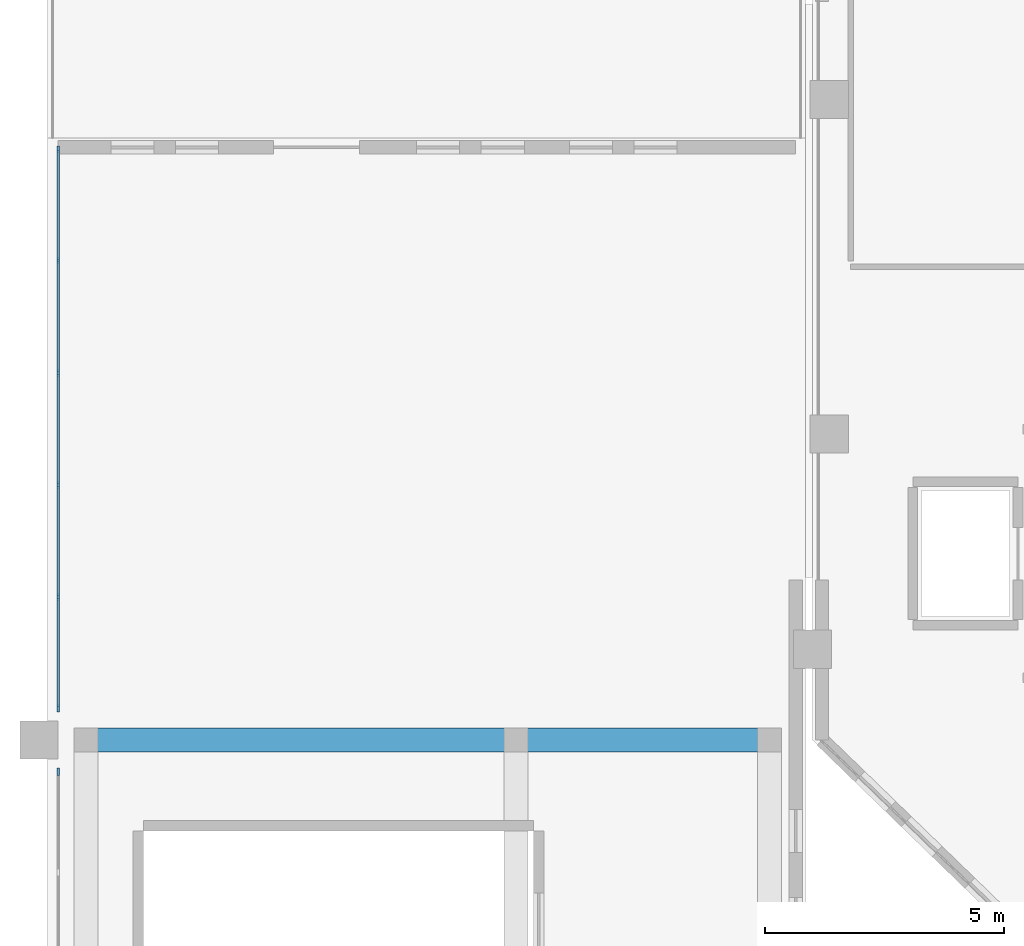
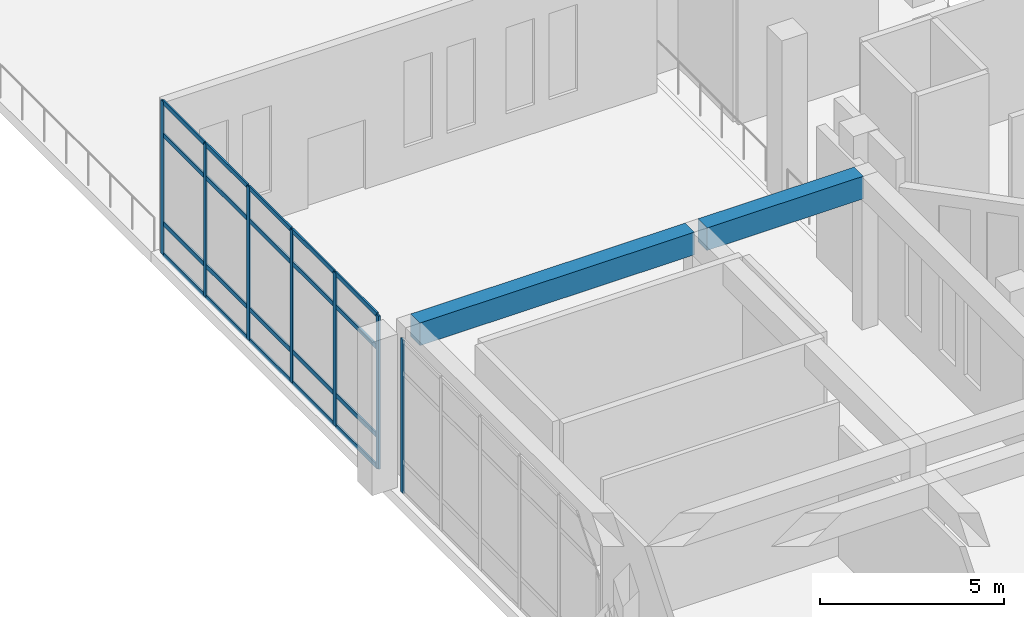
# One storey, part 9 of 55: 27 members, 2 beams, 2 elements without a shape of their own.
"""IFC4 building model written with IfcOpenShell, lengths in metres."""

from ifc_helpers import new_model, si_unit, derived_unit, direction, frame, origin, origin_2d, place, context, subcontext, project, spatial, rectangle, extrude, material, layer, layer_set, material_profile, profile_set, type_object, element, aggregate, save


model = new_model("IFC4")

# Units and contexts
model_context = context("Model", 3, precision=1e-05, world=origin(), true_north=direction((0.0, 1.0)))
body_context = subcontext(model_context, "Body", "Model", "MODEL_VIEW")
ifc_project = project(units=[si_unit("LENGTHUNIT", "METRE"), si_unit("AREAUNIT", "SQUARE_METRE"), si_unit("VOLUMEUNIT", "CUBIC_METRE"), si_unit("PLANEANGLEUNIT", "RADIAN"), si_unit("MASSUNIT", "GRAM", prefix="KILO"), derived_unit("THERMALTRANSMITTANCEUNIT", [(si_unit("MASSUNIT", "GRAM", prefix="KILO"), 1), (si_unit("TIMEUNIT", "SECOND"), -3), (si_unit("THERMODYNAMICTEMPERATUREUNIT", "KELVIN"), -1)])], contexts=[model_context])

# Site, building, storey
site_placement = place(None, origin())
site = spatial("IfcSite", under=ifc_project, at=site_placement, CompositionType="ELEMENT")
building_placement = place(site_placement, origin())
building = spatial("IfcBuilding", under=site, at=building_placement, Name="Valcora Ridge Arena", CompositionType="ELEMENT")
storey_placement = place(building_placement, frame((0.0, 0.0, 21.0)))
storey = spatial("IfcBuildingStorey", under=building, at=storey_placement, Name="L04", CompositionType="ELEMENT", Elevation=21.0)

# Beams
ifc_material_1 = material(Name="Concrete C40/50", Category="concrete")
ifc_material_profile_1 = material_profile(ifc_material_1, rectangle(XDim=0.5, YDim=0.75, at=origin_2d()), Name="RC 500x750")
ifc_profile_set_1 = profile_set([ifc_material_profile_1], Name="Concrete C40/50")
beam_type = type_object("IfcBeamType", Name="TY-BEAM-EB-RC500", PredefinedType="BEAM", material=ifc_profile_set_1)
beam_1_placement = place(storey_placement, frame((1.0, 32.60009765625, 4.705078125), z_axis=(1.0, 0.0, 0.0), x_axis=(0.0, 1.0, 0.0)))
element("IfcBeam", 1, at=beam_1_placement, inside=storey, type_object=beam_type, Name="EB-RC500 BEM-EB-RC500-0032", PredefinedType="BEAM", context=body_context, shape_type="SweptSolid", body=[
    extrude(rectangle(XDim=0.5, YDim=0.75, at=origin_2d()), origin(), (0.0, 0.0, 1.0), 8.60009765625),
])
beam_2_placement = place(storey_placement, frame((10.0, 32.60009765625, 4.705078125), z_axis=(1.0, 0.0, 0.0), x_axis=(0.0, 1.0, 0.0)))
element("IfcBeam", 2, at=beam_2_placement, inside=storey, type_object=beam_type, Name="EB-RC500 BEM-EB-RC500-0033", PredefinedType="BEAM", context=body_context, shape_type="SweptSolid", body=[
    extrude(rectangle(XDim=0.5, YDim=0.75, at=origin_2d()), origin(), (0.0, 0.0, 1.0), 4.89990234375),
])

# Curtain wall, member
ifc_material_2 = material(Name="Anodised dark bronze architectural aluminium 6063-T6", Category="aluminium")
ifc_layer_1 = layer(ifc_material_2, 0.14990234375, Name="Anodised dark bronze architectural aluminium 6063-T6")
ifc_layer_set_1 = layer_set([ifc_layer_1], Name="Anodised dark bronze architectural aluminium 6063-T6")
curtain_wall_type_1 = type_object("IfcCurtainWallType", Name="TY-CURTAINWALL-CW-V4-CLUB-107X51", PredefinedType="NOTDEFINED", material=ifc_layer_set_1)
curtain_wall_1_placement = place(storey_placement, origin())
curtain_wall_1 = element("IfcCurtainWall", 3, at=curtain_wall_1_placement, inside=storey, type_object=curtain_wall_type_1, Name="CW-V4-CLUB-107X51 CW-0304", PredefinedType="NOTDEFINED")
ifc_material_profile_2 = material_profile(ifc_material_2, rectangle(XDim=0.050048828125, YDim=0.14990234375, at=origin_2d()), Name="ALU MULLION 50x150")
ifc_profile_set_2 = profile_set([ifc_material_profile_2], Name="Anodised dark bronze architectural aluminium 6063-T6")
member_type_1 = type_object("IfcMemberType", Name="TY-MEM-CWM-50x150", PredefinedType="MULLION", material=ifc_profile_set_2)
member_1_placement = place(storey_placement, frame((0.219970703125, 31.93505859375, 0.0), z_axis=(0.0, 0.0, 1.0), x_axis=(-1.0, 0.0, 0.0)))
member_1 = element("IfcMember", 4, at=member_1_placement, type_object=member_type_1, Name="CW-0304/CWM-50x150/M05", PredefinedType="MULLION", context=body_context, shape_type="SweptSolid", body=[
    extrude(rectangle(XDim=0.050048828125, YDim=0.14990234375, at=origin_2d()), origin(), (0.0, 0.0, 1.0), 5.080078125),
])
aggregate(curtain_wall_1, [member_1])

# Curtain wall, members
ifc_layer_2 = layer(ifc_material_2, 0.14990234375, Name="Anodised dark bronze architectural aluminium 6063-T6")
ifc_layer_set_2 = layer_set([ifc_layer_2], Name="Anodised dark bronze architectural aluminium 6063-T6")
curtain_wall_type_2 = type_object("IfcCurtainWallType", Name="TY-CURTAINWALL-CW-V4-CLUB-117X51", PredefinedType="NOTDEFINED", material=ifc_layer_set_2)
curtain_wall_2_placement = place(storey_placement, origin())
curtain_wall_2 = element("IfcCurtainWall", 5, at=curtain_wall_2_placement, inside=storey, type_object=curtain_wall_type_2, Name="CW-V4-CLUB-117X51 CW-0305", PredefinedType="NOTDEFINED")
member_2_placement = place(storey_placement, frame((0.219970703125, 33.264892578125, 0.0), z_axis=(0.0, 0.0, 1.0), x_axis=(-1.0, 0.0, 0.0)))
member_2 = element("IfcMember", 6, at=member_2_placement, type_object=member_type_1, Name="CW-0305/CWM-50x150/M00", PredefinedType="MULLION", context=body_context, shape_type="SweptSolid", body=[
    extrude(rectangle(XDim=0.050048828125, YDim=0.14990234375, at=origin_2d()), origin(), (0.0, 0.0, 1.0), 5.080078125),
])
member_3_placement = place(storey_placement, frame((0.219970703125, 35.587890625, 0.0), z_axis=(0.0, 0.0, 1.0), x_axis=(-1.0, 0.0, 0.0)))
member_3 = element("IfcMember", 7, at=member_3_placement, type_object=member_type_1, Name="CW-0305/CWM-50x150/M01", PredefinedType="MULLION", context=body_context, shape_type="SweptSolid", body=[
    extrude(rectangle(XDim=0.050048828125, YDim=0.14990234375, at=origin_2d()), origin(), (0.0, 0.0, 1.0), 5.080078125),
])
member_4_placement = place(storey_placement, frame((0.219970703125, 37.93603515625, 0.0), z_axis=(0.0, 0.0, 1.0), x_axis=(-1.0, 0.0, 0.0)))
member_4 = element("IfcMember", 8, at=member_4_placement, type_object=member_type_1, Name="CW-0305/CWM-50x150/M02", PredefinedType="MULLION", context=body_context, shape_type="SweptSolid", body=[
    extrude(rectangle(XDim=0.050048828125, YDim=0.14990234375, at=origin_2d()), origin(), (0.0, 0.0, 1.0), 5.080078125),
])
member_5_placement = place(storey_placement, frame((0.219970703125, 40.283935546875, 0.0), z_axis=(0.0, 0.0, 1.0), x_axis=(-1.0, 0.0, 0.0)))
member_5 = element("IfcMember", 9, at=member_5_placement, type_object=member_type_1, Name="CW-0305/CWM-50x150/M03", PredefinedType="MULLION", context=body_context, shape_type="SweptSolid", body=[
    extrude(rectangle(XDim=0.050048828125, YDim=0.14990234375, at=origin_2d()), origin(), (0.0, 0.0, 1.0), 5.080078125),
])
member_6_placement = place(storey_placement, frame((0.219970703125, 42.632080078125, 0.0), z_axis=(0.0, 0.0, 1.0), x_axis=(-1.0, 0.0, 0.0)))
member_6 = element("IfcMember", 10, at=member_6_placement, type_object=member_type_1, Name="CW-0305/CWM-50x150/M04", PredefinedType="MULLION", context=body_context, shape_type="SweptSolid", body=[
    extrude(rectangle(XDim=0.050048828125, YDim=0.14990234375, at=origin_2d()), origin(), (0.0, 0.0, 1.0), 5.080078125),
])
member_7_placement = place(storey_placement, frame((0.219970703125, 44.955078125, 0.0), z_axis=(0.0, 0.0, 1.0), x_axis=(-1.0, 0.0, 0.0)))
member_7 = element("IfcMember", 11, at=member_7_placement, type_object=member_type_1, Name="CW-0305/CWM-50x150/M05", PredefinedType="MULLION", context=body_context, shape_type="SweptSolid", body=[
    extrude(rectangle(XDim=0.050048828125, YDim=0.14990234375, at=origin_2d()), origin(), (0.0, 0.0, 1.0), 5.080078125),
])
ifc_material_profile_3 = material_profile(ifc_material_2, rectangle(XDim=0.050048828125, YDim=0.14990234375, at=origin_2d()), Name="ALU TRANSOM 50x150")
ifc_profile_set_3 = profile_set([ifc_material_profile_3], Name="Anodised dark bronze architectural aluminium 6063-T6")
member_type_2 = type_object("IfcMemberType", Name="TY-MEM-CWT-50x150", PredefinedType="USERDEFINED", material=ifc_profile_set_3)
member_8_placement = place(storey_placement, frame((0.219970703125, 33.2900390625, 0.02490234375), z_axis=(0.0, 1.0, 0.0), x_axis=(-1.0, 0.0, 0.0)))
member_8 = element("IfcMember", 12, at=member_8_placement, type_object=member_type_2, Name="CW-0305/CWT-50x150/T00-00", ObjectType="TRANSOM", PredefinedType="USERDEFINED", context=body_context, shape_type="SweptSolid", body=[
    extrude(rectangle(XDim=0.050048828125, YDim=0.14990234375, at=origin_2d()), origin(), (0.0, 0.0, 1.0), 2.27294921875),
])
member_9_placement = place(storey_placement, frame((0.219970703125, 33.2900390625, 1.050048828125), z_axis=(0.0, 1.0, 0.0), x_axis=(-1.0, 0.0, 0.0)))
member_9 = element("IfcMember", 13, at=member_9_placement, type_object=member_type_2, Name="CW-0305/CWT-50x150/T00-01", ObjectType="TRANSOM", PredefinedType="USERDEFINED", context=body_context, shape_type="SweptSolid", body=[
    extrude(rectangle(XDim=0.050048828125, YDim=0.14990234375, at=origin_2d()), origin(), (0.0, 0.0, 1.0), 2.27294921875),
])
member_10_placement = place(storey_placement, frame((0.219970703125, 33.2900390625, 3.97998046875), z_axis=(0.0, 1.0, 0.0), x_axis=(-1.0, 0.0, 0.0)))
member_10 = element("IfcMember", 14, at=member_10_placement, type_object=member_type_2, Name="CW-0305/CWT-50x150/T00-02", ObjectType="TRANSOM", PredefinedType="USERDEFINED", context=body_context, shape_type="SweptSolid", body=[
    extrude(rectangle(XDim=0.050048828125, YDim=0.14990234375, at=origin_2d()), origin(), (0.0, 0.0, 1.0), 2.27294921875),
])
member_11_placement = place(storey_placement, frame((0.219970703125, 33.2900390625, 5.054931640625), z_axis=(0.0, 1.0, 0.0), x_axis=(-1.0, 0.0, 0.0)))
member_11 = element("IfcMember", 15, at=member_11_placement, type_object=member_type_2, Name="CW-0305/CWT-50x150/T00-03", ObjectType="TRANSOM", PredefinedType="USERDEFINED", context=body_context, shape_type="SweptSolid", body=[
    extrude(rectangle(XDim=0.050048828125, YDim=0.14990234375, at=origin_2d()), origin(), (0.0, 0.0, 1.0), 2.27294921875),
])
member_12_placement = place(storey_placement, frame((0.219970703125, 35.613037109375, 0.02490234375), z_axis=(0.0, 1.0, 0.0), x_axis=(-1.0, 0.0, 0.0)))
member_12 = element("IfcMember", 16, at=member_12_placement, type_object=member_type_2, Name="CW-0305/CWT-50x150/T01-00", ObjectType="TRANSOM", PredefinedType="USERDEFINED", context=body_context, shape_type="SweptSolid", body=[
    extrude(rectangle(XDim=0.050048828125, YDim=0.14990234375, at=origin_2d()), origin(), (0.0, 0.0, 1.0), 2.2978515625),
])
member_13_placement = place(storey_placement, frame((0.219970703125, 35.613037109375, 1.050048828125), z_axis=(0.0, 1.0, 0.0), x_axis=(-1.0, 0.0, 0.0)))
member_13 = element("IfcMember", 17, at=member_13_placement, type_object=member_type_2, Name="CW-0305/CWT-50x150/T01-01", ObjectType="TRANSOM", PredefinedType="USERDEFINED", context=body_context, shape_type="SweptSolid", body=[
    extrude(rectangle(XDim=0.050048828125, YDim=0.14990234375, at=origin_2d()), origin(), (0.0, 0.0, 1.0), 2.2978515625),
])
member_14_placement = place(storey_placement, frame((0.219970703125, 35.613037109375, 3.97998046875), z_axis=(0.0, 1.0, 0.0), x_axis=(-1.0, 0.0, 0.0)))
member_14 = element("IfcMember", 18, at=member_14_placement, type_object=member_type_2, Name="CW-0305/CWT-50x150/T01-02", ObjectType="TRANSOM", PredefinedType="USERDEFINED", context=body_context, shape_type="SweptSolid", body=[
    extrude(rectangle(XDim=0.050048828125, YDim=0.14990234375, at=origin_2d()), origin(), (0.0, 0.0, 1.0), 2.2978515625),
])
member_15_placement = place(storey_placement, frame((0.219970703125, 35.613037109375, 5.054931640625), z_axis=(0.0, 1.0, 0.0), x_axis=(-1.0, 0.0, 0.0)))
member_15 = element("IfcMember", 19, at=member_15_placement, type_object=member_type_2, Name="CW-0305/CWT-50x150/T01-03", ObjectType="TRANSOM", PredefinedType="USERDEFINED", context=body_context, shape_type="SweptSolid", body=[
    extrude(rectangle(XDim=0.050048828125, YDim=0.14990234375, at=origin_2d()), origin(), (0.0, 0.0, 1.0), 2.2978515625),
])
member_16_placement = place(storey_placement, frame((0.219970703125, 37.9609375, 0.02490234375), z_axis=(0.0, 1.0, 0.0), x_axis=(-1.0, 0.0, 0.0)))
member_16 = element("IfcMember", 20, at=member_16_placement, type_object=member_type_2, Name="CW-0305/CWT-50x150/T02-00", ObjectType="TRANSOM", PredefinedType="USERDEFINED", context=body_context, shape_type="SweptSolid", body=[
    extrude(rectangle(XDim=0.050048828125, YDim=0.14990234375, at=origin_2d()), origin(), (0.0, 0.0, 1.0), 2.298095703125),
])
member_17_placement = place(storey_placement, frame((0.219970703125, 37.9609375, 1.050048828125), z_axis=(0.0, 1.0, 0.0), x_axis=(-1.0, 0.0, 0.0)))
member_17 = element("IfcMember", 21, at=member_17_placement, type_object=member_type_2, Name="CW-0305/CWT-50x150/T02-01", ObjectType="TRANSOM", PredefinedType="USERDEFINED", context=body_context, shape_type="SweptSolid", body=[
    extrude(rectangle(XDim=0.050048828125, YDim=0.14990234375, at=origin_2d()), origin(), (0.0, 0.0, 1.0), 2.298095703125),
])
member_18_placement = place(storey_placement, frame((0.219970703125, 37.9609375, 3.97998046875), z_axis=(0.0, 1.0, 0.0), x_axis=(-1.0, 0.0, 0.0)))
member_18 = element("IfcMember", 22, at=member_18_placement, type_object=member_type_2, Name="CW-0305/CWT-50x150/T02-02", ObjectType="TRANSOM", PredefinedType="USERDEFINED", context=body_context, shape_type="SweptSolid", body=[
    extrude(rectangle(XDim=0.050048828125, YDim=0.14990234375, at=origin_2d()), origin(), (0.0, 0.0, 1.0), 2.298095703125),
])
member_19_placement = place(storey_placement, frame((0.219970703125, 37.9609375, 5.054931640625), z_axis=(0.0, 1.0, 0.0), x_axis=(-1.0, 0.0, 0.0)))
member_19 = element("IfcMember", 23, at=member_19_placement, type_object=member_type_2, Name="CW-0305/CWT-50x150/T02-03", ObjectType="TRANSOM", PredefinedType="USERDEFINED", context=body_context, shape_type="SweptSolid", body=[
    extrude(rectangle(XDim=0.050048828125, YDim=0.14990234375, at=origin_2d()), origin(), (0.0, 0.0, 1.0), 2.298095703125),
])
member_20_placement = place(storey_placement, frame((0.219970703125, 40.30908203125, 0.02490234375), z_axis=(0.0, 1.0, 0.0), x_axis=(-1.0, 0.0, 0.0)))
member_20 = element("IfcMember", 24, at=member_20_placement, type_object=member_type_2, Name="CW-0305/CWT-50x150/T03-00", ObjectType="TRANSOM", PredefinedType="USERDEFINED", context=body_context, shape_type="SweptSolid", body=[
    extrude(rectangle(XDim=0.050048828125, YDim=0.14990234375, at=origin_2d()), origin(), (0.0, 0.0, 1.0), 2.2978515625),
])
member_21_placement = place(storey_placement, frame((0.219970703125, 40.30908203125, 1.050048828125), z_axis=(0.0, 1.0, 0.0), x_axis=(-1.0, 0.0, 0.0)))
member_21 = element("IfcMember", 25, at=member_21_placement, type_object=member_type_2, Name="CW-0305/CWT-50x150/T03-01", ObjectType="TRANSOM", PredefinedType="USERDEFINED", context=body_context, shape_type="SweptSolid", body=[
    extrude(rectangle(XDim=0.050048828125, YDim=0.14990234375, at=origin_2d()), origin(), (0.0, 0.0, 1.0), 2.2978515625),
])
member_22_placement = place(storey_placement, frame((0.219970703125, 40.30908203125, 3.97998046875), z_axis=(0.0, 1.0, 0.0), x_axis=(-1.0, 0.0, 0.0)))
member_22 = element("IfcMember", 26, at=member_22_placement, type_object=member_type_2, Name="CW-0305/CWT-50x150/T03-02", ObjectType="TRANSOM", PredefinedType="USERDEFINED", context=body_context, shape_type="SweptSolid", body=[
    extrude(rectangle(XDim=0.050048828125, YDim=0.14990234375, at=origin_2d()), origin(), (0.0, 0.0, 1.0), 2.2978515625),
])
member_23_placement = place(storey_placement, frame((0.219970703125, 40.30908203125, 5.054931640625), z_axis=(0.0, 1.0, 0.0), x_axis=(-1.0, 0.0, 0.0)))
member_23 = element("IfcMember", 27, at=member_23_placement, type_object=member_type_2, Name="CW-0305/CWT-50x150/T03-03", ObjectType="TRANSOM", PredefinedType="USERDEFINED", context=body_context, shape_type="SweptSolid", body=[
    extrude(rectangle(XDim=0.050048828125, YDim=0.14990234375, at=origin_2d()), origin(), (0.0, 0.0, 1.0), 2.2978515625),
])
member_24_placement = place(storey_placement, frame((0.219970703125, 42.656982421875, 0.02490234375), z_axis=(0.0, 1.0, 0.0), x_axis=(-1.0, 0.0, 0.0)))
member_24 = element("IfcMember", 28, at=member_24_placement, type_object=member_type_2, Name="CW-0305/CWT-50x150/T04-00", ObjectType="TRANSOM", PredefinedType="USERDEFINED", context=body_context, shape_type="SweptSolid", body=[
    extrude(rectangle(XDim=0.050048828125, YDim=0.14990234375, at=origin_2d()), origin(), (0.0, 0.0, 1.0), 2.27294921875),
])
member_25_placement = place(storey_placement, frame((0.219970703125, 42.656982421875, 1.050048828125), z_axis=(0.0, 1.0, 0.0), x_axis=(-1.0, 0.0, 0.0)))
member_25 = element("IfcMember", 29, at=member_25_placement, type_object=member_type_2, Name="CW-0305/CWT-50x150/T04-01", ObjectType="TRANSOM", PredefinedType="USERDEFINED", context=body_context, shape_type="SweptSolid", body=[
    extrude(rectangle(XDim=0.050048828125, YDim=0.14990234375, at=origin_2d()), origin(), (0.0, 0.0, 1.0), 2.27294921875),
])
member_26_placement = place(storey_placement, frame((0.219970703125, 42.656982421875, 3.97998046875), z_axis=(0.0, 1.0, 0.0), x_axis=(-1.0, 0.0, 0.0)))
member_26 = element("IfcMember", 30, at=member_26_placement, type_object=member_type_2, Name="CW-0305/CWT-50x150/T04-02", ObjectType="TRANSOM", PredefinedType="USERDEFINED", context=body_context, shape_type="SweptSolid", body=[
    extrude(rectangle(XDim=0.050048828125, YDim=0.14990234375, at=origin_2d()), origin(), (0.0, 0.0, 1.0), 2.27294921875),
])
member_27_placement = place(storey_placement, frame((0.219970703125, 42.656982421875, 5.054931640625), z_axis=(0.0, 1.0, 0.0), x_axis=(-1.0, 0.0, 0.0)))
member_27 = element("IfcMember", 31, at=member_27_placement, type_object=member_type_2, Name="CW-0305/CWT-50x150/T04-03", ObjectType="TRANSOM", PredefinedType="USERDEFINED", context=body_context, shape_type="SweptSolid", body=[
    extrude(rectangle(XDim=0.050048828125, YDim=0.14990234375, at=origin_2d()), origin(), (0.0, 0.0, 1.0), 2.27294921875),
])
aggregate(curtain_wall_2, [member_2, member_3, member_4, member_5, member_6, member_7, member_8, member_9, member_10, member_11, member_12, member_13, member_14, member_15, member_16, member_17, member_18, member_19, member_20, member_21, member_22, member_23, member_24, member_25, member_26, member_27])

save(model, "model.ifc")
